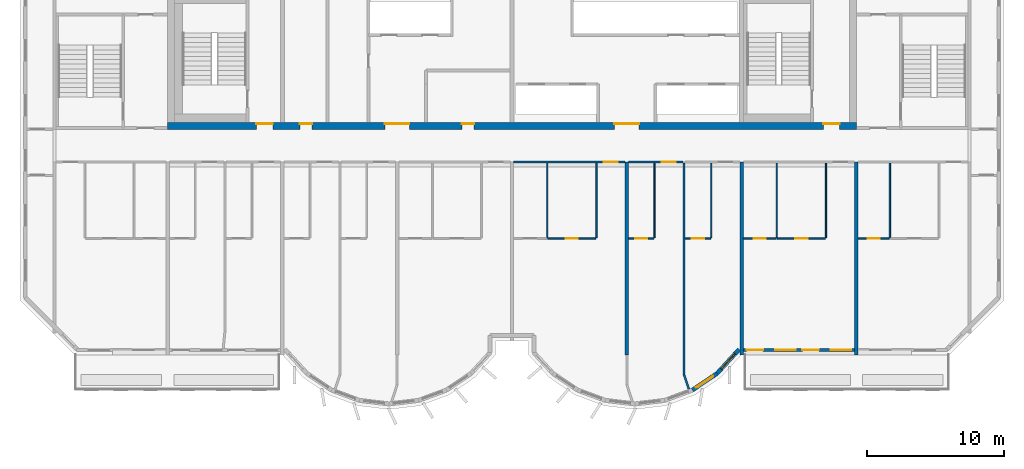
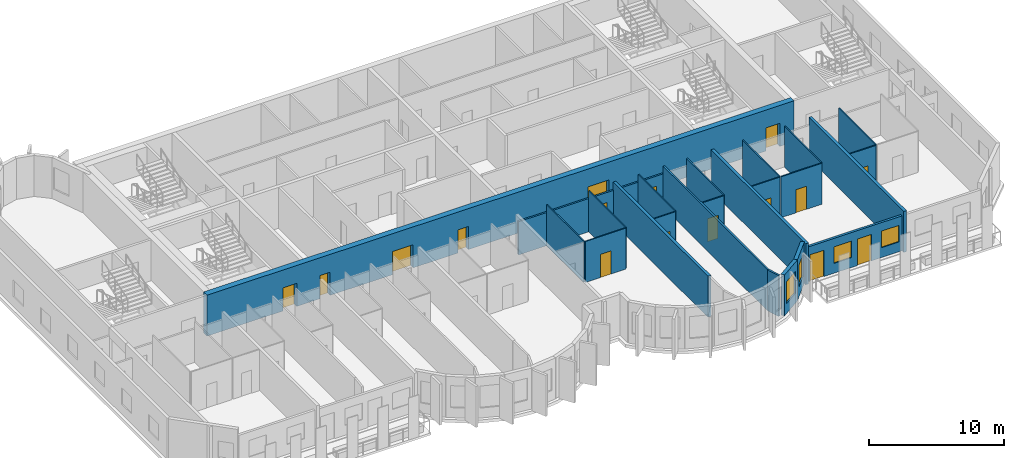
# One storey, part 5 of 12: 24 walls, 16 doors, 4 windows, 20 openings.
"""IFC4 building model written with IfcOpenShell, lengths in metres."""

from ifc_helpers import new_model, si_unit, direction, frame, frame_2d, origin, place, context, subcontext, project, spatial, rectangle, extrude, source, transform, mapped, material, layer, layer_set, type_object, element, fill, save


model = new_model("IFC4")

# Units and contexts
model_context = context("Model", 3, precision=1e-05, world=origin(), true_north=direction((0.0, 1.0)))
body_context = subcontext(model_context, "Body", "Model", "MODEL_VIEW")
ifc_project = project(units=[si_unit("LENGTHUNIT", "METRE"), si_unit("AREAUNIT", "SQUARE_METRE"), si_unit("VOLUMEUNIT", "CUBIC_METRE"), si_unit("PLANEANGLEUNIT", "RADIAN"), si_unit("MASSUNIT", "GRAM", prefix="KILO")], contexts=[model_context])

# Site, building, storey
site_placement = place(None, origin())
site = spatial("IfcSite", under=ifc_project, at=site_placement, CompositionType="ELEMENT")
building_placement = place(site_placement, origin())
building = spatial("IfcBuilding", under=site, at=building_placement, Name="Vanashikhar Sky Hotel", CompositionType="ELEMENT")
storey_placement = place(building_placement, frame((0.0, 0.0, 297.699951171875)))
storey = spatial("IfcBuildingStorey", under=building, at=storey_placement, Name="L71", CompositionType="ELEMENT", Elevation=297.699951171875)

# Wall, openings, doors
ifc_material_1 = material(Name="Concrete M50", Category="concrete")
ifc_layer_1 = layer(ifc_material_1, 0.5)
ifc_layer_set_1 = layer_set([ifc_layer_1], Name="RC core shell wall 500 Concrete M50")
wall_type_1 = type_object("IfcWallType", Name="RC core shell wall 500 Concrete M50", PredefinedType="SHEAR", material=ifc_layer_set_1)
shared_shape_1 = source(origin(), body_context, "Body", "SweptSolid", [
    extrude(rectangle(XDim=50.400146484375, YDim=0.5, at=frame_2d((25.2001953125, 0.0))), origin(), (0.0, 0.0, 1.0), 3.719970703125),
])
wall_1_placement = place(storey_placement, frame((25.199951171875, 22.25, 0.0), z_axis=(0.0, 0.0, 1.0), x_axis=(1.0, 0.0, 0.0)))
wall_1 = element("IfcWall", 1, at=wall_1_placement, inside=storey, type_object=wall_type_1, Name="KW-L71-KS", PredefinedType="SHEAR", context=body_context, shape_type="MappedRepresentation", body=[
    mapped(shared_shape_1, transform((0.0, 0.0, 0.0), scale=1.0)),
])
shared_shape_2 = source(origin(), body_context, "Body", "SweptSolid", [
    extrude(rectangle(XDim=1.800048828125, YDim=2.10009765625, at=frame_2d((0.89990234375, 1.050048828125))), frame((0.0, 0.260009765625, 0.0), z_axis=(0.0, -1.0, 0.0), x_axis=(1.0, 0.0, 0.0)), (0.0, 0.0, 1.0), 0.52001953125),
])
opening_1_placement = place(wall_1_placement, frame((15.89990234375, 0.0, 0.0)))
opening_1 = element("IfcOpeningElement", 2, at=opening_1_placement, cuts=wall_1, Name="Opening DC-3-A", PredefinedType="OPENING", context=body_context, shape_type="MappedRepresentation", body=[
    mapped(shared_shape_2, transform((0.0, 0.0, 0.0), scale=1.0)),
])
shared_shape_3 = source(origin(), body_context, "Body", "SweptSolid", [
    extrude(rectangle(XDim=0.89990234375, YDim=2.10009765625, at=frame_2d((0.449951171875, 1.050048828125))), frame((0.0, 0.260009765625, 0.0), z_axis=(0.0, -1.0, 0.0), x_axis=(1.0, 0.0, 0.0)), (0.0, 0.0, 1.0), 0.52001953125),
])
opening_2_placement = place(wall_1_placement, frame((9.675048828125, 0.0, 0.0)))
opening_2 = element("IfcOpeningElement", 3, at=opening_2_placement, cuts=wall_1, Name="Opening DC-4-A", PredefinedType="OPENING", context=body_context, shape_type="MappedRepresentation", body=[
    mapped(shared_shape_3, transform((0.0, 0.0, 0.0), scale=1.0)),
])
opening_3_placement = place(wall_1_placement, frame((21.52490234375, 0.0, 0.0)))
opening_3 = element("IfcOpeningElement", 4, at=opening_3_placement, cuts=wall_1, Name="Opening DC-4-A", PredefinedType="OPENING", context=body_context, shape_type="MappedRepresentation", body=[
    mapped(shared_shape_3, transform((0.0, 0.0, 0.0), scale=1.0)),
])
opening_4_placement = place(wall_1_placement, frame((32.699951171875, 0.0, 0.0)))
opening_4 = element("IfcOpeningElement", 5, at=opening_4_placement, cuts=wall_1, Name="Opening DC-3-A", PredefinedType="OPENING", context=body_context, shape_type="MappedRepresentation", body=[
    mapped(shared_shape_2, transform((0.0, 0.0, 0.0), scale=1.0)),
])
shared_shape_4 = source(origin(), body_context, "Body", "SweptSolid", [
    extrude(rectangle(XDim=1.199951171875, YDim=2.10009765625, at=frame_2d((0.60009765625, 1.050048828125))), frame((0.0, 0.260009765625, 0.0), z_axis=(0.0, -1.0, 0.0), x_axis=(1.0, 0.0, 0.0)), (0.0, 0.0, 1.0), 0.52001953125),
])
opening_5_placement = place(wall_1_placement, frame((6.5, 0.0, 0.0)))
opening_5 = element("IfcOpeningElement", 6, at=opening_5_placement, cuts=wall_1, Name="Opening DC-2", PredefinedType="OPENING", context=body_context, shape_type="MappedRepresentation", body=[
    mapped(shared_shape_4, transform((0.0, 0.0, 0.0), scale=1.0)),
])
opening_6_placement = place(wall_1_placement, frame((47.97509765625, 0.0, 0.0)))
opening_6 = element("IfcOpeningElement", 7, at=opening_6_placement, cuts=wall_1, Name="Opening DC-2", PredefinedType="OPENING", context=body_context, shape_type="MappedRepresentation", body=[
    mapped(shared_shape_4, transform((0.0, 0.0, 0.0), scale=1.0)),
])
ifc_material_2 = material(Name="Steel", Category="steel")
door_type_1 = type_object("IfcDoorType", Name="Firefighting lobby door 1200 FD120", OperationType="NOTDEFINED", PredefinedType="DOOR", material=ifc_material_2)
shared_shape_5 = source(origin(), body_context, "Body", "SweptSolid", [
    extrude(rectangle(XDim=1.199951171875, YDim=2.10009765625, at=frame_2d((0.60009765625, 1.050048828125))), frame((0.0, 0.1748046875, 0.0), z_axis=(0.0, -1.0, 0.0), x_axis=(1.0, 0.0, 0.0)), (0.0, 0.0, 1.0), 0.050048828125),
])
door_1_placement = place(opening_5_placement, origin())
door_1 = element("IfcDoor", 8, at=door_1_placement, inside=storey, type_object=door_type_1, Name="Firefighting lobby door 1200 FD120", OperationType="SINGLE_SWING_LEFT", OverallHeight=2.10009765625, OverallWidth=1.199951171875, PredefinedType="DOOR", context=body_context, shape_type="MappedRepresentation", body=[
    mapped(shared_shape_5, transform((0.0, 0.0, 0.0), scale=1.0)),
])
fill(opening_5, door_1)
door_2_placement = place(opening_6_placement, origin())
door_2 = element("IfcDoor", 9, at=door_2_placement, inside=storey, type_object=door_type_1, Name="Firefighting lobby door 1200 FD120", OperationType="SINGLE_SWING_RIGHT", OverallHeight=2.10009765625, OverallWidth=1.199951171875, PredefinedType="DOOR", context=body_context, shape_type="MappedRepresentation", body=[
    mapped(shared_shape_5, transform((0.0, 0.0, 0.0), scale=1.0)),
])
fill(opening_6, door_2)
door_type_2 = type_object("IfcDoorType", Name="Service door 900 FD60", OperationType="NOTDEFINED", PredefinedType="DOOR", material=ifc_material_2)
shared_shape_6 = source(origin(), body_context, "Body", "SweptSolid", [
    extrude(rectangle(XDim=0.89990234375, YDim=2.10009765625, at=frame_2d((0.449951171875, 1.050048828125))), frame((0.0, 0.1748046875, 0.0), z_axis=(0.0, -1.0, 0.0), x_axis=(1.0, 0.0, 0.0)), (0.0, 0.0, 1.0), 0.050048828125),
])
door_3_placement = place(opening_2_placement, origin())
door_3 = element("IfcDoor", 10, at=door_3_placement, inside=storey, type_object=door_type_2, Name="Service door 900 FD60", OperationType="SINGLE_SWING_RIGHT", OverallHeight=2.10009765625, OverallWidth=0.89990234375, PredefinedType="DOOR", context=body_context, shape_type="MappedRepresentation", body=[
    mapped(shared_shape_6, transform((0.0, 0.0, 0.0), scale=1.0)),
])
fill(opening_2, door_3)
door_4_placement = place(opening_3_placement, origin())
door_4 = element("IfcDoor", 11, at=door_4_placement, inside=storey, type_object=door_type_2, Name="Service door 900 FD60", OperationType="SINGLE_SWING_LEFT", OverallHeight=2.10009765625, OverallWidth=0.89990234375, PredefinedType="DOOR", context=body_context, shape_type="MappedRepresentation", body=[
    mapped(shared_shape_6, transform((0.0, 0.0, 0.0), scale=1.0)),
])
fill(opening_3, door_4)
ifc_material_3 = material(Name="Glass", Category="glass")
door_type_3 = type_object("IfcDoorType", Name="Lift lobby entrance door 1800 FD30S", OperationType="NOTDEFINED", PredefinedType="DOOR", material=ifc_material_3)
shared_shape_7 = source(origin(), body_context, "Body", "SweptSolid", [
    extrude(rectangle(XDim=1.800048828125, YDim=2.10009765625, at=frame_2d((0.89990234375, 1.050048828125))), frame((0.0, 0.1748046875, 0.0), z_axis=(0.0, -1.0, 0.0), x_axis=(1.0, 0.0, 0.0)), (0.0, 0.0, 1.0), 0.050048828125),
])
door_5_placement = place(opening_1_placement, origin())
door_5 = element("IfcDoor", 12, at=door_5_placement, inside=storey, type_object=door_type_3, Name="Lift lobby entrance door 1800 FD30S", OperationType="DOUBLE_DOOR_SINGLE_SWING", OverallHeight=2.10009765625, OverallWidth=1.800048828125, PredefinedType="DOOR", context=body_context, shape_type="MappedRepresentation", body=[
    mapped(shared_shape_7, transform((0.0, 0.0, 0.0), scale=1.0)),
])
fill(opening_1, door_5)
door_6_placement = place(opening_4_placement, origin())
door_6 = element("IfcDoor", 13, at=door_6_placement, inside=storey, type_object=door_type_3, Name="Lift lobby entrance door 1800 FD30S", OperationType="DOUBLE_DOOR_SINGLE_SWING", OverallHeight=2.10009765625, OverallWidth=1.800048828125, PredefinedType="DOOR", context=body_context, shape_type="MappedRepresentation", body=[
    mapped(shared_shape_7, transform((0.0, 0.0, 0.0), scale=1.0)),
])
fill(opening_4, door_6)

# Walls
ifc_layer_2 = layer(ifc_material_1, 0.25)
ifc_layer_set_2 = layer_set([ifc_layer_2], Name="RC shear wall 250 Concrete M50")
wall_type_2 = type_object("IfcWallType", Name="RC shear wall 250 Concrete M50", PredefinedType="SHEAR", material=ifc_layer_set_2)
shared_shape_8 = source(origin(), body_context, "Body", "SweptSolid", [
    extrude(rectangle(XDim=14.10009765625, YDim=0.25, at=frame_2d((7.050048828125, 0.0))), origin(), (0.0, 0.0, 1.0), 3.719970703125),
])
for number, where, z_axis, x_axis, name in (
    (14, (58.800048828125, 5.5, 0.0), (0.0, 0.0, 1.0), (0.0, 1.0, 0.0), "CW-L71-XW08-1"),
    (15, (67.199951171875, 5.5, 0.0), (0.0, 0.0, 1.0), (0.0, 1.0, 0.0), "CW-L71-XW09-1"),
    (16, (75.60009765625, 5.5, 0.0), (0.0, 0.0, 1.0), (0.0, 1.0, 0.0), "CW-L71-XW10-1"),
):
    element("IfcWall", number, at=place(storey_placement, frame(where, z_axis=z_axis, x_axis=x_axis)), inside=storey, type_object=wall_type_2, Name=name, PredefinedType="SHEAR", context=body_context, shape_type="MappedRepresentation", body=[
        mapped(shared_shape_8, transform((0.0, 0.0, 0.0), scale=1.0)),
    ])

# Wall, openings, windows, doors
ifc_layer_3 = layer(ifc_material_1, 0.199951171875)
ifc_layer_set_3 = layer_set([ifc_layer_3], Name="Front window wall 200")
wall_type_3 = type_object("IfcWallType", Name="Front window wall 200", PredefinedType="SOLIDWALL", material=ifc_layer_set_3)
shared_shape_9 = source(origin(), body_context, "Body", "SweptSolid", [
    extrude(rectangle(XDim=8.150146484375, YDim=0.199951171875, at=frame_2d((4.0751953125, 0.0))), origin(), (0.0, 0.0, 1.0), 3.170166015625),
])
wall_2_placement = place(storey_placement, frame((67.324951171875, 5.85009765625, 0.0), z_axis=(0.0, 0.0, 1.0), x_axis=(1.0, 0.0, 0.0)))
wall_2 = element("IfcWall", 17, at=wall_2_placement, inside=storey, type_object=wall_type_3, Name="Front window wall", PredefinedType="SOLIDWALL", context=body_context, shape_type="MappedRepresentation", body=[
    mapped(shared_shape_9, transform((0.0, 0.0, 0.0), scale=1.0)),
])
shared_shape_10 = source(origin(), body_context, "Body", "SweptSolid", [
    extrude(rectangle(XDim=1.199951171875, YDim=2.39990234375, at=frame_2d((0.60009765625, 1.199951171875))), frame((0.0, 0.10986328125, 0.0), z_axis=(0.0, -1.0, 0.0), x_axis=(1.0, 0.0, 0.0)), (0.0, 0.0, 1.0), 0.219970703125),
])
opening_7_placement = place(wall_2_placement, frame((0.25, 0.0, 0.0)))
opening_7 = element("IfcOpeningElement", 18, at=opening_7_placement, cuts=wall_2, Name="Opening BD-03", PredefinedType="OPENING", context=body_context, shape_type="MappedRepresentation", body=[
    mapped(shared_shape_10, transform((0.0, 0.0, 0.0), scale=1.0)),
])
shared_shape_11 = source(origin(), body_context, "Body", "SweptSolid", [
    extrude(rectangle(XDim=1.5, YDim=1.5, at=frame_2d((0.75, 0.75))), frame((0.0, 0.10986328125, 0.0), z_axis=(0.0, -1.0, 0.0), x_axis=(1.0, 0.0, 0.0)), (0.0, 0.0, 1.0), 0.219970703125),
])
opening_8_placement = place(wall_2_placement, frame((2.324951171875, 0.0, 0.89990234375)))
opening_8 = element("IfcOpeningElement", 19, at=opening_8_placement, cuts=wall_2, Name="Opening WN-1", PredefinedType="OPENING", context=body_context, shape_type="MappedRepresentation", body=[
    mapped(shared_shape_11, transform((0.0, 0.0, 0.0), scale=1.0)),
])
opening_9_placement = place(wall_2_placement, frame((4.324951171875, 0.0, 0.0)))
opening_9 = element("IfcOpeningElement", 20, at=opening_9_placement, cuts=wall_2, Name="Opening BD-04", PredefinedType="OPENING", context=body_context, shape_type="MappedRepresentation", body=[
    mapped(shared_shape_10, transform((0.0, 0.0, 0.0), scale=1.0)),
])
opening_10_placement = place(wall_2_placement, frame((6.39990234375, 0.0, 0.89990234375)))
opening_10 = element("IfcOpeningElement", 21, at=opening_10_placement, cuts=wall_2, Name="Opening WN-1", PredefinedType="OPENING", context=body_context, shape_type="MappedRepresentation", body=[
    mapped(shared_shape_11, transform((0.0, 0.0, 0.0), scale=1.0)),
])
window_type_1 = type_object("IfcWindowType", Name="Window 1500 x 1500", PartitioningType="SINGLE_PANEL", PredefinedType="WINDOW", material=ifc_material_3)
shared_shape_12 = source(origin(), body_context, "Body", "SweptSolid", [
    extrude(rectangle(XDim=1.5, YDim=1.5, at=frame_2d((0.75, 0.75))), frame((0.0, 0.030029296875, 0.0), z_axis=(0.0, -1.0, 0.0), x_axis=(1.0, 0.0, 0.0)), (0.0, 0.0, 1.0), 0.06005859375),
])
window_1_placement = place(opening_8_placement, origin())
window_1 = element("IfcWindow", 22, at=window_1_placement, inside=storey, type_object=window_type_1, Name="Window WN-1", OverallHeight=1.5, OverallWidth=1.5, PartitioningType="SINGLE_PANEL", PredefinedType="WINDOW", context=body_context, shape_type="MappedRepresentation", body=[
    mapped(shared_shape_12, transform((0.0, 0.0, 0.0), scale=1.0)),
])
fill(opening_8, window_1)
window_2_placement = place(opening_10_placement, origin())
window_2 = element("IfcWindow", 23, at=window_2_placement, inside=storey, type_object=window_type_1, Name="Window WN-1", OverallHeight=1.5, OverallWidth=1.5, PartitioningType="SINGLE_PANEL", PredefinedType="WINDOW", context=body_context, shape_type="MappedRepresentation", body=[
    mapped(shared_shape_12, transform((0.0, 0.0, 0.0), scale=1.0)),
])
fill(opening_10, window_2)
ifc_material_4 = material(Name="Aluminium", Category="aluminium")
door_type_4 = type_object("IfcDoorType", Name="Balcony sliding door 1200 x 2400", OperationType="NOTDEFINED", PredefinedType="DOOR", material=ifc_material_4)
shared_shape_13 = source(origin(), body_context, "Body", "SweptSolid", [
    extrude(rectangle(XDim=1.199951171875, YDim=2.39990234375, at=frame_2d((0.60009765625, 1.199951171875))), frame((0.0, 0.02490234375, 0.0), z_axis=(0.0, -1.0, 0.0), x_axis=(1.0, 0.0, 0.0)), (0.0, 0.0, 1.0), 0.050048828125),
])
door_7_placement = place(opening_7_placement, origin())
door_7 = element("IfcDoor", 24, at=door_7_placement, inside=storey, type_object=door_type_4, Name="Balcony sliding door", OperationType="SLIDING_TO_LEFT", OverallHeight=2.39990234375, OverallWidth=1.199951171875, PredefinedType="DOOR", context=body_context, shape_type="MappedRepresentation", body=[
    mapped(shared_shape_13, transform((0.0, 0.0, 0.0), scale=1.0)),
])
fill(opening_7, door_7)
door_8_placement = place(opening_9_placement, origin())
door_8 = element("IfcDoor", 25, at=door_8_placement, inside=storey, type_object=door_type_4, Name="Balcony sliding door", OperationType="SLIDING_TO_RIGHT", OverallHeight=2.39990234375, OverallWidth=1.199951171875, PredefinedType="DOOR", context=body_context, shape_type="MappedRepresentation", body=[
    mapped(shared_shape_13, transform((0.0, 0.0, 0.0), scale=1.0)),
])
fill(opening_9, door_8)

# Wall, opening, window
ifc_layer_4 = layer(ifc_material_1, 0.300048828125)
ifc_layer_set_4 = layer_set([ifc_layer_4], Name="Lobe wall 300")
wall_type_4 = type_object("IfcWallType", Name="Lobe wall 300", PredefinedType="SOLIDWALL", material=ifc_layer_set_4)
shared_shape_14 = source(origin(), body_context, "Body", "SweptSolid", [
    extrude(rectangle(XDim=2.398193359375, YDim=0.300048828125, at=frame_2d((1.19921875, 0.0))), origin(), (0.0, 0.0, 1.0), 3.719970703125),
])
wall_3_placement = place(storey_placement, frame((65.404296875, 4.13134765625, 0.0), z_axis=(0.0, 0.0, 1.0), x_axis=(0.675374189419, 0.737475222815, 0.0)))
wall_3 = element("IfcWall", 26, at=wall_3_placement, inside=storey, type_object=wall_type_4, Name="Lobe wall", PredefinedType="SOLIDWALL", context=body_context, shape_type="MappedRepresentation", body=[
    mapped(shared_shape_14, transform((0.0, 0.0, 0.0), scale=1.0)),
])
shared_shape_15 = source(origin(), body_context, "Body", "SweptSolid", [
    extrude(rectangle(XDim=1.5, YDim=2.0, at=frame_2d((0.75, 1.0))), frame((0.0, 0.16015625, 0.0), z_axis=(0.0, -1.0, 0.0), x_axis=(1.0, 0.0, 0.0)), (0.0, 0.0, 1.0), 0.320068359375),
])
opening_11_placement = place(wall_3_placement, frame((0.44921875, 0.0, 0.89990234375)))
opening_11 = element("IfcOpeningElement", 27, at=opening_11_placement, cuts=wall_3, Name="Opening WN-2", PredefinedType="OPENING", context=body_context, shape_type="MappedRepresentation", body=[
    mapped(shared_shape_15, transform((0.0, 0.0, 0.0), scale=1.0)),
])
window_type_2 = type_object("IfcWindowType", Name="Lobe window 1500 x 2000", PartitioningType="SINGLE_PANEL", PredefinedType="WINDOW", material=ifc_material_3)
shared_shape_16 = source(origin(), body_context, "Body", "SweptSolid", [
    extrude(rectangle(XDim=1.5, YDim=2.0, at=frame_2d((0.75, 1.0))), frame((0.0, 0.030029296875, 0.0), z_axis=(0.0, -1.0, 0.0), x_axis=(1.0, 0.0, 0.0)), (0.0, 0.0, 1.0), 0.06005859375),
])
window_3_placement = place(opening_11_placement, origin())
window_3 = element("IfcWindow", 28, at=window_3_placement, inside=storey, type_object=window_type_2, Name="Window WN-2", OverallHeight=2.0, OverallWidth=1.5, PartitioningType="SINGLE_PANEL", PredefinedType="WINDOW", context=body_context, shape_type="MappedRepresentation", body=[
    mapped(shared_shape_16, transform((0.0, 0.0, 0.0), scale=1.0)),
])
fill(opening_11, window_3)

shared_shape_17 = source(origin(), body_context, "Body", "SweptSolid", [
    extrude(rectangle(XDim=2.17578125, YDim=0.300048828125, at=frame_2d((1.087890625, 0.0))), origin(), (0.0, 0.0, 1.0), 3.719970703125),
])
wall_4_placement = place(storey_placement, frame((63.59912109375, 2.91650390625, 0.0), z_axis=(0.0, 0.0, 1.0), x_axis=(0.829625727223, 0.558319937607, 0.0)))
wall_4 = element("IfcWall", 29, at=wall_4_placement, inside=storey, type_object=wall_type_4, Name="Lobe wall", PredefinedType="SOLIDWALL", context=body_context, shape_type="MappedRepresentation", body=[
    mapped(shared_shape_17, transform((0.0, 0.0, 0.0), scale=1.0)),
])
opening_12_placement = place(wall_4_placement, frame((0.337890625, 0.0, 0.89990234375)))
opening_12 = element("IfcOpeningElement", 30, at=opening_12_placement, cuts=wall_4, Name="Opening WN-2", PredefinedType="OPENING", context=body_context, shape_type="MappedRepresentation", body=[
    mapped(shared_shape_15, transform((0.0, 0.0, 0.0), scale=1.0)),
])
window_4_placement = place(opening_12_placement, origin())
window_4 = element("IfcWindow", 31, at=window_4_placement, inside=storey, type_object=window_type_2, Name="Window WN-2", OverallHeight=2.0, OverallWidth=1.5, PartitioningType="SINGLE_PANEL", PredefinedType="WINDOW", context=body_context, shape_type="MappedRepresentation", body=[
    mapped(shared_shape_16, transform((0.0, 0.0, 0.0), scale=1.0)),
])
fill(opening_12, window_4)

# Wall, opening, door
ifc_material_5 = material(Name="Gypsum plasterboard partition")
ifc_layer_5 = layer(ifc_material_5, 0.10009765625)
ifc_layer_set_5 = layer_set([ifc_layer_5], Name="Wet room partition 100")
wall_type_5 = type_object("IfcWallType", Name="Wet room partition 100", PredefinedType="PARTITIONING", material=ifc_layer_set_5)
shared_shape_18 = source(origin(), body_context, "Body", "SweptSolid", [
    extrude(rectangle(XDim=3.5, YDim=0.10009765625, at=frame_2d((1.75, 0.0))), origin(), (0.0, 0.0, 1.0), 3.719970703125),
])
wall_5_placement = place(storey_placement, frame((53.02490234375, 14.0, 0.0), z_axis=(0.0, 0.0, 1.0), x_axis=(1.0, 0.0, 0.0)))
wall_5 = element("IfcWall", 32, at=wall_5_placement, inside=storey, type_object=wall_type_5, Name="W-L71-PW027", PredefinedType="PARTITIONING", context=body_context, shape_type="MappedRepresentation", body=[
    mapped(shared_shape_18, transform((0.0, 0.0, 0.0), scale=1.0)),
])
shared_shape_19 = source(origin(), body_context, "Body", "SweptSolid", [
    extrude(rectangle(XDim=0.89990234375, YDim=2.10009765625, at=frame_2d((0.449951171875, 1.050048828125))), frame((0.0, 0.06005859375, 0.0), z_axis=(0.0, -1.0, 0.0), x_axis=(1.0, 0.0, 0.0)), (0.0, 0.0, 1.0), 0.1201171875),
])
opening_13_placement = place(wall_5_placement, frame((1.300048828125, 0.0, 0.0)))
opening_13 = element("IfcOpeningElement", 33, at=opening_13_placement, cuts=wall_5, Name="Opening D-02", PredefinedType="OPENING", context=body_context, shape_type="MappedRepresentation", body=[
    mapped(shared_shape_19, transform((0.0, 0.0, 0.0), scale=1.0)),
])
ifc_material_6 = material(Name="Timber door", Category="wood")
door_type_5 = type_object("IfcDoorType", Name="Internal door 900", OperationType="NOTDEFINED", PredefinedType="DOOR", material=ifc_material_6)
shared_shape_20 = source(origin(), body_context, "Body", "SweptSolid", [
    extrude(rectangle(XDim=0.89990234375, YDim=2.10009765625, at=frame_2d((0.449951171875, 1.050048828125))), frame((0.0, 0.02490234375, 0.0), z_axis=(0.0, -1.0, 0.0), x_axis=(1.0, 0.0, 0.0)), (0.0, 0.0, 1.0), 0.050048828125),
])
door_9_placement = place(opening_13_placement, origin())
door_9 = element("IfcDoor", 34, at=door_9_placement, inside=storey, type_object=door_type_5, Name="D-L71-015", OperationType="SINGLE_SWING_RIGHT", OverallHeight=2.10009765625, OverallWidth=0.89990234375, PredefinedType="DOOR", context=body_context, shape_type="MappedRepresentation", body=[
    mapped(shared_shape_20, transform((0.0, 0.0, 0.0), scale=1.0)),
])
fill(opening_13, door_9)

wall_6_placement = place(storey_placement, frame((69.824951171875, 14.0, 0.0), z_axis=(0.0, 0.0, 1.0), x_axis=(1.0, 0.0, 0.0)))
wall_6 = element("IfcWall", 35, at=wall_6_placement, inside=storey, type_object=wall_type_5, Name="W-L71-PW039", PredefinedType="PARTITIONING", context=body_context, shape_type="MappedRepresentation", body=[
    mapped(shared_shape_18, transform((0.0, 0.0, 0.0), scale=1.0)),
])
opening_14_placement = place(wall_6_placement, frame((1.300048828125, 0.0, 0.0)))
opening_14 = element("IfcOpeningElement", 36, at=opening_14_placement, cuts=wall_6, Name="Opening D-02", PredefinedType="OPENING", context=body_context, shape_type="MappedRepresentation", body=[
    mapped(shared_shape_19, transform((0.0, 0.0, 0.0), scale=1.0)),
])
door_10_placement = place(opening_14_placement, origin())
door_10 = element("IfcDoor", 37, at=door_10_placement, inside=storey, type_object=door_type_5, Name="D-L71-022", OperationType="SINGLE_SWING_RIGHT", OverallHeight=2.10009765625, OverallWidth=0.89990234375, PredefinedType="DOOR", context=body_context, shape_type="MappedRepresentation", body=[
    mapped(shared_shape_20, transform((0.0, 0.0, 0.0), scale=1.0)),
])
fill(opening_14, door_10)

ifc_layer_6 = layer(ifc_material_5, 0.14990234375)
ifc_layer_set_6 = layer_set([ifc_layer_6], Name="Corridor and demising partition 150")
wall_type_6 = type_object("IfcWallType", Name="Corridor and demising partition 150", PredefinedType="PARTITIONING", material=ifc_layer_set_6)
shared_shape_21 = source(origin(), body_context, "Body", "SweptSolid", [
    extrude(rectangle(XDim=8.150146484375, YDim=0.14990234375, at=frame_2d((4.0751953125, 0.0))), origin(), (0.0, 0.0, 1.0), 3.02001953125),
])
wall_7_placement = place(storey_placement, frame((50.52490234375, 19.60009765625, 0.0), z_axis=(0.0, 0.0, 1.0), x_axis=(1.0, 0.0, 0.0)))
wall_7 = element("IfcWall", 38, at=wall_7_placement, inside=storey, type_object=wall_type_6, Name="W-L71-PW029", PredefinedType="PARTITIONING", context=body_context, shape_type="MappedRepresentation", body=[
    mapped(shared_shape_21, transform((0.0, 0.0, 0.0), scale=1.0)),
])
shared_shape_22 = source(origin(), body_context, "Body", "SweptSolid", [
    extrude(rectangle(XDim=1.0, YDim=2.10009765625, at=frame_2d((0.5, 1.050048828125))), frame((0.0, 0.0849609375, 0.0), z_axis=(0.0, -1.0, 0.0), x_axis=(1.0, 0.0, 0.0)), (0.0, 0.0, 1.0), 0.169921875),
])
opening_15_placement = place(wall_7_placement, frame((6.60009765625, 0.0, 0.0)))
opening_15 = element("IfcOpeningElement", 39, at=opening_15_placement, cuts=wall_7, Name="Opening D-01", PredefinedType="OPENING", context=body_context, shape_type="MappedRepresentation", body=[
    mapped(shared_shape_22, transform((0.0, 0.0, 0.0), scale=1.0)),
])
ifc_material_7 = material(Name="Timber fire door", Category="wood")
door_type_6 = type_object("IfcDoorType", Name="Guest entry door 1000 FD30S", OperationType="NOTDEFINED", PredefinedType="DOOR", material=ifc_material_7)
shared_shape_23 = source(origin(), body_context, "Body", "SweptSolid", [
    extrude(rectangle(XDim=1.0, YDim=2.10009765625, at=frame_2d((0.5, 1.050048828125))), frame((0.0, 0.02490234375, 0.0), z_axis=(0.0, -1.0, 0.0), x_axis=(1.0, 0.0, 0.0)), (0.0, 0.0, 1.0), 0.050048828125),
])
door_11_placement = place(opening_15_placement, origin())
door_11 = element("IfcDoor", 40, at=door_11_placement, inside=storey, type_object=door_type_6, Name="D-L71-017", OperationType="SINGLE_SWING_RIGHT", OverallHeight=2.10009765625, OverallWidth=1.0, PredefinedType="DOOR", context=body_context, shape_type="MappedRepresentation", body=[
    mapped(shared_shape_23, transform((0.0, 0.0, 0.0), scale=1.0)),
])
fill(opening_15, door_11)

# Walls
shared_shape_24 = source(origin(), body_context, "Body", "SweptSolid", [
    extrude(rectangle(XDim=5.449951171875, YDim=0.10009765625, at=frame_2d((2.72509765625, 0.0))), origin(), (0.0, 0.0, 1.0), 3.719970703125),
])
for number, where, z_axis, x_axis, name in (
    (41, (56.574951171875, 14.074951171875, 0.0), (0.0, 0.0, 1.0), (0.0, 1.0, 0.0), "W-L71-PW025"),
    (42, (52.97509765625, 14.074951171875, 0.0), (0.0, 0.0, 1.0), (0.0, 1.0, 0.0), "W-L71-PW026"),
    (43, (60.824951171875, 14.074951171875, 0.0), (0.0, 0.0, 1.0), (0.0, 1.0, 0.0), "W-L71-PW030"),
    (44, (64.97509765625, 14.074951171875, 0.0), (0.0, 0.0, 1.0), (0.0, 1.0, 0.0), "W-L71-PW033"),
    (45, (73.375, 14.074951171875, 0.0), (0.0, 0.0, 1.0), (0.0, 1.0, 0.0), "W-L71-PW037"),
    (46, (69.77490234375, 14.074951171875, 0.0), (0.0, 0.0, 1.0), (0.0, 1.0, 0.0), "W-L71-PW038"),
    (47, (78.050048828125, 14.074951171875, 0.0), (0.0, 0.0, 1.0), (0.0, 1.0, 0.0), "W-L71-PW043"),
):
    element("IfcWall", number, at=place(storey_placement, frame(where, z_axis=z_axis, x_axis=x_axis)), inside=storey, type_object=wall_type_5, Name=name, PredefinedType="PARTITIONING", context=body_context, shape_type="MappedRepresentation", body=[
        mapped(shared_shape_24, transform((0.0, 0.0, 0.0), scale=1.0)),
    ])

# Wall, opening, door
shared_shape_25 = source(origin(), body_context, "Body", "SweptSolid", [
    extrude(rectangle(XDim=2.27490234375, YDim=0.10009765625, at=frame_2d((1.137451171875, 0.0))), origin(), (0.0, 0.0, 1.0), 3.719970703125),
])
wall_8_placement = place(storey_placement, frame((75.72509765625, 14.0, 0.0), z_axis=(0.0, 0.0, 1.0), x_axis=(1.0, 0.0, 0.0)))
wall_8 = element("IfcWall", 48, at=wall_8_placement, inside=storey, type_object=wall_type_5, Name="W-L71-PW045", PredefinedType="PARTITIONING", context=body_context, shape_type="MappedRepresentation", body=[
    mapped(shared_shape_25, transform((0.0, 0.0, 0.0), scale=1.0)),
])
opening_16_placement = place(wall_8_placement, frame((0.68798828125, 0.0, 0.0)))
opening_16 = element("IfcOpeningElement", 49, at=opening_16_placement, cuts=wall_8, Name="Opening D-02", PredefinedType="OPENING", context=body_context, shape_type="MappedRepresentation", body=[
    mapped(shared_shape_19, transform((0.0, 0.0, 0.0), scale=1.0)),
])
door_12_placement = place(opening_16_placement, origin())
door_12 = element("IfcDoor", 50, at=door_12_placement, inside=storey, type_object=door_type_5, Name="D-L71-026", OperationType="SINGLE_SWING_RIGHT", OverallHeight=2.10009765625, OverallWidth=0.89990234375, PredefinedType="DOOR", context=body_context, shape_type="MappedRepresentation", body=[
    mapped(shared_shape_20, transform((0.0, 0.0, 0.0), scale=1.0)),
])
fill(opening_16, door_12)

shared_shape_26 = source(origin(), body_context, "Body", "SweptSolid", [
    extrude(rectangle(XDim=1.85009765625, YDim=0.10009765625, at=frame_2d((0.925048828125, 0.0))), origin(), (0.0, 0.0, 1.0), 3.719970703125),
])
wall_9_placement = place(storey_placement, frame((63.074951171875, 14.0, 0.0), z_axis=(0.0, 0.0, 1.0), x_axis=(1.0, 0.0, 0.0)))
wall_9 = element("IfcWall", 51, at=wall_9_placement, inside=storey, type_object=wall_type_5, Name="W-L71-PW034", PredefinedType="PARTITIONING", context=body_context, shape_type="MappedRepresentation", body=[
    mapped(shared_shape_26, transform((0.0, 0.0, 0.0), scale=1.0)),
])
opening_17_placement = place(wall_9_placement, frame((0.47509765625, 0.0, 0.0)))
opening_17 = element("IfcOpeningElement", 52, at=opening_17_placement, cuts=wall_9, Name="Opening D-02", PredefinedType="OPENING", context=body_context, shape_type="MappedRepresentation", body=[
    mapped(shared_shape_19, transform((0.0, 0.0, 0.0), scale=1.0)),
])
door_13_placement = place(opening_17_placement, origin())
door_13 = element("IfcDoor", 53, at=door_13_placement, inside=storey, type_object=door_type_5, Name="D-L71-020", OperationType="SINGLE_SWING_RIGHT", OverallHeight=2.10009765625, OverallWidth=0.89990234375, PredefinedType="DOOR", context=body_context, shape_type="MappedRepresentation", body=[
    mapped(shared_shape_20, transform((0.0, 0.0, 0.0), scale=1.0)),
])
fill(opening_17, door_13)

shared_shape_27 = source(origin(), body_context, "Body", "SweptSolid", [
    extrude(rectangle(XDim=4.0, YDim=0.14990234375, at=frame_2d((2.0, 0.0))), origin(), (0.0, 0.0, 1.0), 3.02001953125),
])
wall_10_placement = place(storey_placement, frame((58.925048828125, 19.60009765625, 0.0), z_axis=(0.0, 0.0, 1.0), x_axis=(1.0, 0.0, 0.0)))
wall_10 = element("IfcWall", 54, at=wall_10_placement, inside=storey, type_object=wall_type_6, Name="W-L71-PW032", PredefinedType="PARTITIONING", context=body_context, shape_type="MappedRepresentation", body=[
    mapped(shared_shape_27, transform((0.0, 0.0, 0.0), scale=1.0)),
])
opening_18_placement = place(wall_10_placement, frame((2.449951171875, 0.0, 0.0)))
opening_18 = element("IfcOpeningElement", 55, at=opening_18_placement, cuts=wall_10, Name="Opening D-01", PredefinedType="OPENING", context=body_context, shape_type="MappedRepresentation", body=[
    mapped(shared_shape_22, transform((0.0, 0.0, 0.0), scale=1.0)),
])
door_14_placement = place(opening_18_placement, origin())
door_14 = element("IfcDoor", 56, at=door_14_placement, inside=storey, type_object=door_type_6, Name="D-L71-019", OperationType="SINGLE_SWING_RIGHT", OverallHeight=2.10009765625, OverallWidth=1.0, PredefinedType="DOOR", context=body_context, shape_type="MappedRepresentation", body=[
    mapped(shared_shape_23, transform((0.0, 0.0, 0.0), scale=1.0)),
])
fill(opening_18, door_14)

shared_shape_28 = source(origin(), body_context, "Body", "SweptSolid", [
    extrude(rectangle(XDim=1.849853515625, YDim=0.10009765625, at=frame_2d((0.9248046875, 0.0))), origin(), (0.0, 0.0, 1.0), 3.719970703125),
])
wall_11_placement = place(storey_placement, frame((58.925048828125, 14.0, 0.0), z_axis=(0.0, 0.0, 1.0), x_axis=(1.0, 0.0, 0.0)))
wall_11 = element("IfcWall", 57, at=wall_11_placement, inside=storey, type_object=wall_type_5, Name="W-L71-PW031", PredefinedType="PARTITIONING", context=body_context, shape_type="MappedRepresentation", body=[
    mapped(shared_shape_28, transform((0.0, 0.0, 0.0), scale=1.0)),
])
opening_19_placement = place(wall_11_placement, frame((0.47509765625, 0.0, 0.0)))
opening_19 = element("IfcOpeningElement", 58, at=opening_19_placement, cuts=wall_11, Name="Opening D-02", PredefinedType="OPENING", context=body_context, shape_type="MappedRepresentation", body=[
    mapped(shared_shape_19, transform((0.0, 0.0, 0.0), scale=1.0)),
])
door_15_placement = place(opening_19_placement, origin())
door_15 = element("IfcDoor", 59, at=door_15_placement, inside=storey, type_object=door_type_5, Name="D-L71-018", OperationType="SINGLE_SWING_RIGHT", OverallHeight=2.10009765625, OverallWidth=0.89990234375, PredefinedType="DOOR", context=body_context, shape_type="MappedRepresentation", body=[
    mapped(shared_shape_20, transform((0.0, 0.0, 0.0), scale=1.0)),
])
fill(opening_19, door_15)

# Wall
shared_shape_29 = source(origin(), body_context, "Body", "SweptSolid", [
    extrude(rectangle(XDim=15.497802734375, YDim=0.14990234375, at=frame_2d((7.7490234375, 0.0))), origin(), (0.0, 0.0, 1.0), 3.719970703125),
])
wall_12_placement = place(storey_placement, frame((63.0, 4.027099609375, 0.0), z_axis=(0.0, 0.0, 1.0), x_axis=(0.0, 1.0, 0.0)))
element("IfcWall", 60, at=wall_12_placement, inside=storey, type_object=wall_type_6, Name="W-L71-PW036", PredefinedType="PARTITIONING", context=body_context, shape_type="MappedRepresentation", body=[
    mapped(shared_shape_29, transform((0.0, 0.0, 0.0), scale=1.0)),
])

# Wall, opening, door
shared_shape_30 = source(origin(), body_context, "Body", "SweptSolid", [
    extrude(rectangle(XDim=2.400146484375, YDim=0.10009765625, at=frame_2d((1.2001953125, 0.0))), origin(), (0.0, 0.0, 1.0), 3.719970703125),
])
wall_13_placement = place(storey_placement, frame((67.324951171875, 14.0, 0.0), z_axis=(0.0, 0.0, 1.0), x_axis=(1.0, 0.0, 0.0)))
wall_13 = element("IfcWall", 61, at=wall_13_placement, inside=storey, type_object=wall_type_5, Name="W-L71-PW040", PredefinedType="PARTITIONING", context=body_context, shape_type="MappedRepresentation", body=[
    mapped(shared_shape_30, transform((0.0, 0.0, 0.0), scale=1.0)),
])
opening_20_placement = place(wall_13_placement, frame((0.75, 0.0, 0.0)))
opening_20 = element("IfcOpeningElement", 62, at=opening_20_placement, cuts=wall_13, Name="Opening D-02", PredefinedType="OPENING", context=body_context, shape_type="MappedRepresentation", body=[
    mapped(shared_shape_19, transform((0.0, 0.0, 0.0), scale=1.0)),
])
door_16_placement = place(opening_20_placement, origin())
door_16 = element("IfcDoor", 63, at=door_16_placement, inside=storey, type_object=door_type_5, Name="D-L71-023", OperationType="SINGLE_SWING_RIGHT", OverallHeight=2.10009765625, OverallWidth=0.89990234375, PredefinedType="DOOR", context=body_context, shape_type="MappedRepresentation", body=[
    mapped(shared_shape_20, transform((0.0, 0.0, 0.0), scale=1.0)),
])
fill(opening_20, door_16)

# Wall
shared_shape_31 = source(origin(), body_context, "Body", "SweptSolid", [
    extrude(rectangle(XDim=1.100830078125, YDim=0.14990234375, at=frame_2d((0.55029296875, 0.0))), origin(), (0.0, 0.0, 1.0), 3.719970703125),
])
wall_14_placement = place(storey_placement, frame((63.343017578125, 2.98095703125, 0.0), z_axis=(0.0, 0.0, 1.0), x_axis=(-0.311567081539, 0.950224159712, 0.0)))
element("IfcWall", 64, at=wall_14_placement, inside=storey, type_object=wall_type_6, Name="W-L71-PW036B0", PredefinedType="PARTITIONING", context=body_context, shape_type="MappedRepresentation", body=[
    mapped(shared_shape_31, transform((0.0, 0.0, 0.0), scale=1.0)),
])

save(model, "model.ifc")
